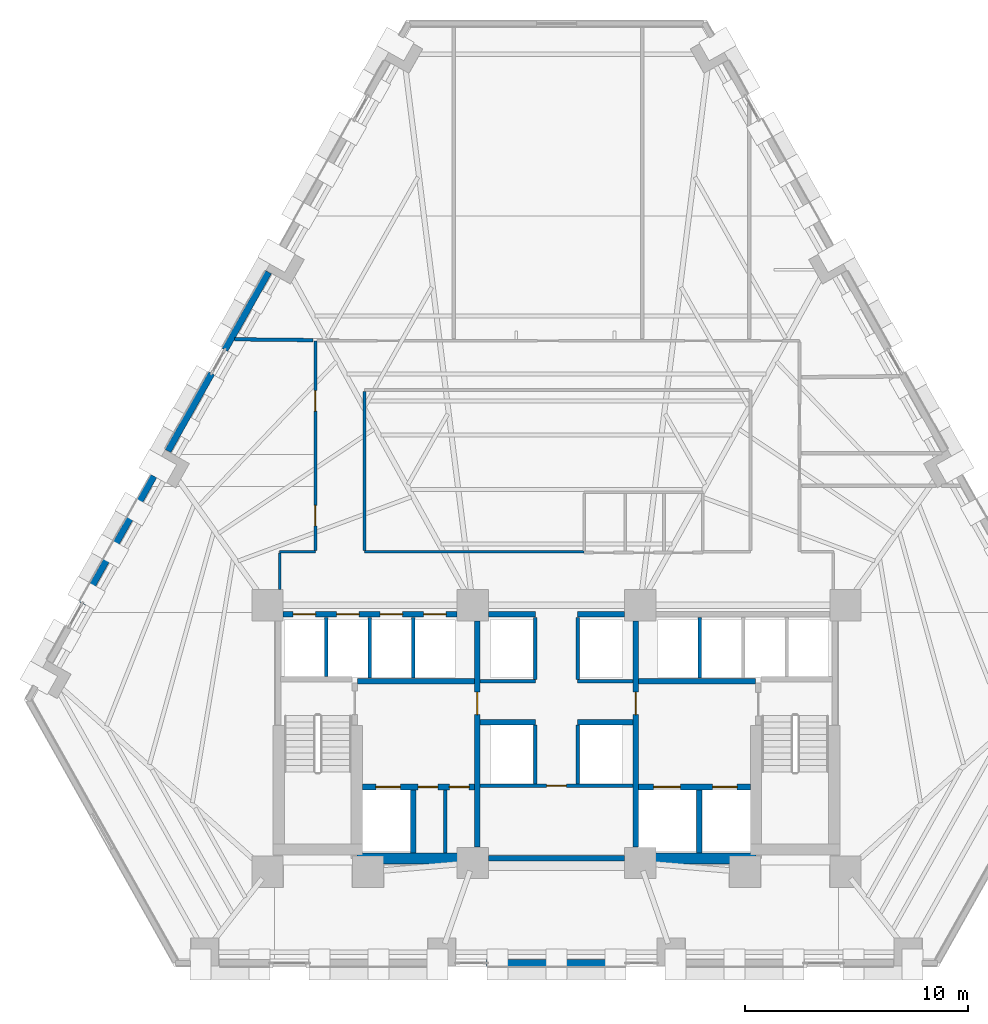
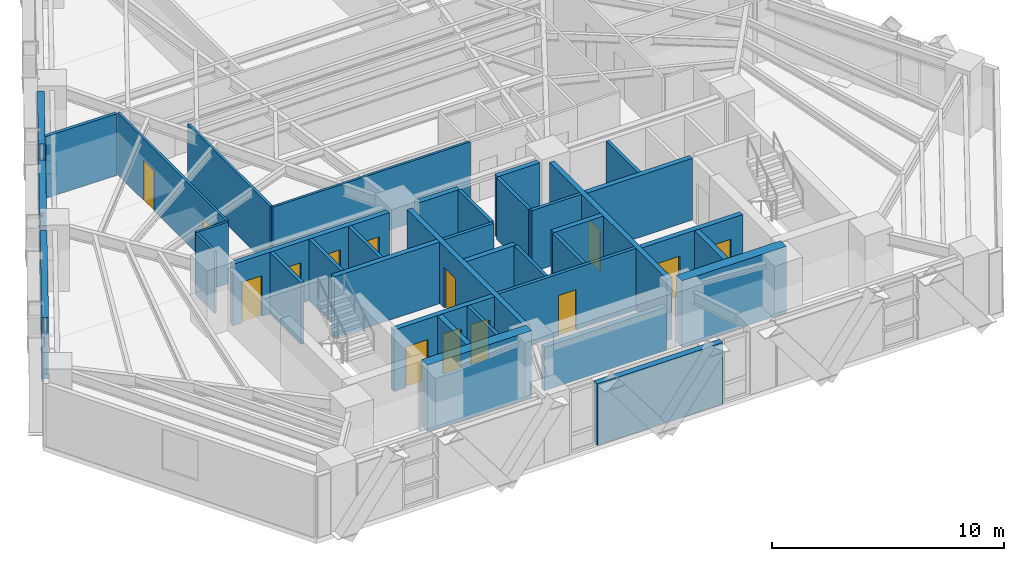
# One storey, part 7 of 13: 38 walls, 14 doors, 14 openings.
"""IFC4 building model written with IfcOpenShell, lengths in metres."""

from ifc_helpers import new_model, si_unit, direction, frame, frame_2d, origin, place, context, subcontext, project, spatial, rectangle, extrude, material, layer, layer_set, type_object, element, fill, save


model = new_model("IFC4")

# Units and contexts
model_context = context("Model", 3, precision=1e-05, world=origin(), true_north=direction((0.0, 1.0)))
body_context = subcontext(model_context, "Body", "Model", "MODEL_VIEW")
ifc_project = project(units=[si_unit("LENGTHUNIT", "METRE"), si_unit("AREAUNIT", "SQUARE_METRE"), si_unit("VOLUMEUNIT", "CUBIC_METRE"), si_unit("PLANEANGLEUNIT", "RADIAN"), si_unit("MASSUNIT", "GRAM", prefix="KILO")], contexts=[model_context])

# Site, building, storey
site_placement = place(None, origin())
site = spatial("IfcSite", under=ifc_project, at=site_placement, CompositionType="ELEMENT")
building_placement = place(site_placement, origin())
building = spatial("IfcBuilding", under=site, at=building_placement, Name="Quenlor Broadcast Tower", CompositionType="ELEMENT")
storey_placement = place(building_placement, frame((0.0, 0.0, 69.60009765625)))
storey = spatial("IfcBuildingStorey", under=building, at=storey_placement, Name="L18", CompositionType="ELEMENT", Elevation=69.60009765625)

# Walls
ifc_material_1 = material(Name="Concrete C65/80", Category="concrete")
ifc_layer_1 = layer(ifc_material_1, 0.5)
ifc_layer_set_1 = layer_set([ifc_layer_1], Name="Core Concrete C65/80 Shear Wall 500")
wall_type_1 = type_object("IfcWallType", Name="Core Concrete C65/80 Shear Wall 500", PredefinedType="SHEAR", material=ifc_layer_set_1)
for number, where, z_axis, x_axis, name in (
    (1, (-8.949951171875, -16.14990234375, 0.0), (0.0, 0.0, 1.0), (1.0, 0.0, 0.0), "L18 Core Shear Wall WS-W2"),
    (2, (3.75, -16.14990234375, 0.0), (0.0, 0.0, 1.0), (1.0, 0.0, 0.0), "L18 Core Shear Wall WS-E1"),
):
    element("IfcWall", number, at=place(storey_placement, frame(where, z_axis=z_axis, x_axis=x_axis)), inside=storey, type_object=wall_type_1, Name=name, PredefinedType="SHEAR", context=body_context, shape_type="SweptSolid", body=[
        extrude(rectangle(XDim=5.199951171875, YDim=0.5, at=frame_2d((2.60009765625, 0.0))), origin(), (0.0, 0.0, 1.0), 3.5),
    ])

# Wall, openings, doors
ifc_material_2 = material(Name="Concrete C40/50", Category="concrete")
ifc_layer_2 = layer(ifc_material_2, 0.25)
ifc_layer_set_2 = layer_set([ifc_layer_2], Name="Fire Rated Concrete C40/50 Core Wall 250")
wall_type_2 = type_object("IfcWallType", Name="Fire Rated Concrete C40/50 Core Wall 250", PredefinedType="PARTITIONING", material=ifc_layer_set_2)
wall_1_placement = place(storey_placement, frame((-8.697998046875, -12.949951171875, 0.0), z_axis=(0.0, 0.0, 1.0), x_axis=(1.0, 0.0, 0.0)))
wall_1 = element("IfcWall", 3, at=wall_1_placement, inside=storey, type_object=wall_type_2, Name="L18 Interior Wall CW-FFW-S", PredefinedType="PARTITIONING", context=body_context, shape_type="SweptSolid", body=[
    extrude(rectangle(XDim=5.01806640625, YDim=0.25, at=frame_2d((2.509033203125, 0.0))), origin(), (0.0, 0.0, 1.0), 3.25),
])
opening_1_placement = place(wall_1_placement, frame((0.597900390625, 0.0, 0.0)))
opening_1 = element("IfcOpeningElement", 4, at=opening_1_placement, cuts=wall_1, Name="Opening LD-FFL-1", PredefinedType="OPENING", context=body_context, shape_type="SweptSolid", body=[
    extrude(rectangle(XDim=1.10009765625, YDim=2.14990234375, at=frame_2d((0.550048828125, 1.074951171875))), frame((0.0, 0.135009765625, 0.0), z_axis=(0.0, -1.0, 0.0), x_axis=(1.0, 0.0, 0.0)), (0.0, 0.0, 1.0), 0.27001953125),
])
opening_2_placement = place(wall_1_placement, frame((2.498046875, 0.0, 0.0)))
opening_2 = element("IfcOpeningElement", 5, at=opening_2_placement, cuts=wall_1, Name="Opening TD-1", PredefinedType="OPENING", context=body_context, shape_type="SweptSolid", body=[
    extrude(rectangle(XDim=0.8798828125, YDim=2.10009765625, at=frame_2d((0.43994140625, 1.050048828125))), frame((0.0, 0.135009765625, 0.0), z_axis=(0.0, -1.0, 0.0), x_axis=(1.0, 0.0, 0.0)), (0.0, 0.0, 1.0), 0.27001953125),
])
opening_3_placement = place(wall_1_placement, frame((3.89794921875, 0.0, 0.0)))
opening_3 = element("IfcOpeningElement", 6, at=opening_3_placement, cuts=wall_1, Name="Opening TD-1", PredefinedType="OPENING", context=body_context, shape_type="SweptSolid", body=[
    extrude(rectangle(XDim=0.8798828125, YDim=2.10009765625, at=frame_2d((0.43994140625, 1.050048828125))), frame((0.0, 0.135009765625, 0.0), z_axis=(0.0, -1.0, 0.0), x_axis=(1.0, 0.0, 0.0)), (0.0, 0.0, 1.0), 0.27001953125),
])
ifc_material_3 = material(Name="Brushed Stainless Steel", Category="steel")
door_type_1 = type_object("IfcDoorType", Name="Emergency Lift Sliding Landing Door 1100x2150", OperationType="NOTDEFINED", PredefinedType="DOOR", material=ifc_material_3)
door_1_placement = place(opening_1_placement, origin())
door_1 = element("IfcDoor", 7, at=door_1_placement, inside=storey, type_object=door_type_1, Name="L18 Door LD-FFL-1", OperationType="SLIDING_TO_LEFT", OverallHeight=2.14990234375, OverallWidth=1.10009765625, PredefinedType="DOOR", context=body_context, shape_type="SweptSolid", body=[
    extrude(rectangle(XDim=1.10009765625, YDim=2.14990234375, at=frame_2d((0.550048828125, 1.074951171875))), frame((0.0, 0.02490234375, 0.0), z_axis=(0.0, -1.0, 0.0), x_axis=(1.0, 0.0, 0.0)), (0.0, 0.0, 1.0), 0.050048828125),
])
fill(opening_1, door_1)
ifc_material_4 = material(Name="Fire Rated Steel Access Panel", Category="steel")
door_type_2 = type_object("IfcDoorType", Name="Riser Shaft Rated Access Trapdoor 880x2100", OperationType="NOTDEFINED", PredefinedType="TRAPDOOR", material=ifc_material_4)
door_2_placement = place(opening_2_placement, origin())
door_2 = element("IfcDoor", 8, at=door_2_placement, inside=storey, type_object=door_type_2, Name="L18 Door DR-ELR", OperationType="SINGLE_SWING_LEFT", OverallHeight=2.10009765625, OverallWidth=0.8798828125, PredefinedType="TRAPDOOR", context=body_context, shape_type="SweptSolid", body=[
    extrude(rectangle(XDim=0.8798828125, YDim=2.10009765625, at=frame_2d((0.43994140625, 1.050048828125))), frame((0.0, 0.02490234375, 0.0), z_axis=(0.0, -1.0, 0.0), x_axis=(1.0, 0.0, 0.0)), (0.0, 0.0, 1.0), 0.050048828125),
])
fill(opening_2, door_2)
door_3_placement = place(opening_3_placement, origin())
door_3 = element("IfcDoor", 9, at=door_3_placement, inside=storey, type_object=door_type_2, Name="L18 Door DR-CMR", OperationType="SINGLE_SWING_RIGHT", OverallHeight=2.10009765625, OverallWidth=0.8798828125, PredefinedType="TRAPDOOR", context=body_context, shape_type="SweptSolid", body=[
    extrude(rectangle(XDim=0.8798828125, YDim=2.10009765625, at=frame_2d((0.43994140625, 1.050048828125))), frame((0.0, 0.02490234375, 0.0), z_axis=(0.0, -1.0, 0.0), x_axis=(1.0, 0.0, 0.0)), (0.0, 0.0, 1.0), 0.050048828125),
])
fill(opening_3, door_3)

wall_2_placement = place(storey_placement, frame((3.679931640625, -12.949951171875, 0.0), z_axis=(0.0, 0.0, 1.0), x_axis=(1.0, 0.0, 0.0)))
wall_2 = element("IfcWall", 10, at=wall_2_placement, inside=storey, type_object=wall_type_2, Name="L18 Interior Wall CW-FFE-S", PredefinedType="PARTITIONING", context=body_context, shape_type="SweptSolid", body=[
    extrude(rectangle(XDim=5.01806640625, YDim=0.25, at=frame_2d((2.509033203125, 0.0))), origin(), (0.0, 0.0, 1.0), 3.25),
])
opening_4_placement = place(wall_2_placement, frame((3.320068359375, 0.0, 0.0)))
opening_4 = element("IfcOpeningElement", 11, at=opening_4_placement, cuts=wall_2, Name="Opening LD-FFL-2", PredefinedType="OPENING", context=body_context, shape_type="SweptSolid", body=[
    extrude(rectangle(XDim=1.10009765625, YDim=2.14990234375, at=frame_2d((0.550048828125, 1.074951171875))), frame((0.0, 0.135009765625, 0.0), z_axis=(0.0, -1.0, 0.0), x_axis=(1.0, 0.0, 0.0)), (0.0, 0.0, 1.0), 0.27001953125),
])
opening_5_placement = place(wall_2_placement, frame((0.669921875, 0.0, 0.0)))
opening_5 = element("IfcOpeningElement", 12, at=opening_5_placement, cuts=wall_2, Name="Opening LD-SVL-1", PredefinedType="OPENING", context=body_context, shape_type="SweptSolid", body=[
    extrude(rectangle(XDim=1.199951171875, YDim=2.14990234375, at=frame_2d((0.60009765625, 1.074951171875))), frame((0.0, 0.135009765625, 0.0), z_axis=(0.0, -1.0, 0.0), x_axis=(1.0, 0.0, 0.0)), (0.0, 0.0, 1.0), 0.27001953125),
])
door_4_placement = place(opening_4_placement, origin())
door_4 = element("IfcDoor", 13, at=door_4_placement, inside=storey, type_object=door_type_1, Name="L18 Door LD-FFL-2", OperationType="SLIDING_TO_RIGHT", OverallHeight=2.14990234375, OverallWidth=1.10009765625, PredefinedType="DOOR", context=body_context, shape_type="SweptSolid", body=[
    extrude(rectangle(XDim=1.10009765625, YDim=2.14990234375, at=frame_2d((0.550048828125, 1.074951171875))), frame((0.0, 0.02490234375, 0.0), z_axis=(0.0, -1.0, 0.0), x_axis=(1.0, 0.0, 0.0)), (0.0, 0.0, 1.0), 0.050048828125),
])
fill(opening_4, door_4)
ifc_material_5 = material(Name="Brushed Stainless Steel", Category="steel")
door_type_3 = type_object("IfcDoorType", Name="Goods Lift Sliding Landing Door 1200x2150", OperationType="NOTDEFINED", PredefinedType="DOOR", material=ifc_material_5)
door_5_placement = place(opening_5_placement, origin())
door_5 = element("IfcDoor", 14, at=door_5_placement, inside=storey, type_object=door_type_3, Name="L18 Door LD-SVL-1", OperationType="SLIDING_TO_LEFT", OverallHeight=2.14990234375, OverallWidth=1.199951171875, PredefinedType="DOOR", context=body_context, shape_type="SweptSolid", body=[
    extrude(rectangle(XDim=1.199951171875, YDim=2.14990234375, at=frame_2d((0.60009765625, 1.074951171875))), frame((0.0, 0.02490234375, 0.0), z_axis=(0.0, -1.0, 0.0), x_axis=(1.0, 0.0, 0.0)), (0.0, 0.0, 1.0), 0.050048828125),
])
fill(opening_5, door_5)

# Walls
for number, where, z_axis, x_axis, name in (
    (15, (-6.419921875, -15.89794921875, 0.0), (0.0, 0.0, 1.0), (0.0, 1.0, 0.0), "L18 Interior Wall CW-FF1-E"),
    (16, (6.39990234375, -15.89794921875, 0.0), (0.0, 0.0, 1.0), (0.0, 1.0, 0.0), "L18 Interior Wall CW-SV1-E"),
):
    element("IfcWall", number, at=place(storey_placement, frame(where, z_axis=z_axis, x_axis=x_axis)), inside=storey, type_object=wall_type_2, Name=name, PredefinedType="PARTITIONING", context=body_context, shape_type="SweptSolid", body=[
        extrude(rectangle(XDim=2.807861328125, YDim=0.25, at=frame_2d((1.40380859375, 0.0))), origin(), (0.0, 0.0, 1.0), 3.25),
    ])
for number, where, z_axis, x_axis, name in (
    (17, (-8.919921875, -8.199951171875, 0.0), (0.0, 0.0, 1.0), (1.0, 0.0, 0.0), "L18 Interior Wall CW-FFW-N"),
    (18, (3.679931640625, -8.199951171875, 0.0), (0.0, 0.0, 1.0), (1.0, 0.0, 0.0), "L18 Interior Wall CW-FFE-N"),
):
    element("IfcWall", number, at=place(storey_placement, frame(where, z_axis=z_axis, x_axis=x_axis)), inside=storey, type_object=wall_type_2, Name=name, PredefinedType="PARTITIONING", context=body_context, shape_type="SweptSolid", body=[
        extrude(rectangle(XDim=5.239990234375, YDim=0.25, at=frame_2d((2.6201171875, 0.0))), origin(), (0.0, 0.0, 1.0), 3.25),
    ])

# Wall, opening, door
wall_3_placement = place(storey_placement, frame((-3.550048828125, -15.64794921875, 0.0), z_axis=(0.0, 0.0, 1.0), x_axis=(0.0, 1.0, 0.0)))
wall_3 = element("IfcWall", 19, at=wall_3_placement, inside=storey, type_object=wall_type_2, Name="L18 Interior Wall CW-FFW-E", PredefinedType="PARTITIONING", context=body_context, shape_type="SweptSolid", body=[
    extrude(rectangle(XDim=10.14599609375, YDim=0.25, at=frame_2d((5.072998046875, 0.0))), origin(), (0.0, 0.0, 1.0), 3.25),
])
opening_6_placement = place(wall_3_placement, frame((5.947998046875, 0.0, 0.0)))
opening_6 = element("IfcOpeningElement", 20, at=opening_6_placement, cuts=wall_3, Name="Opening FD-2", PredefinedType="OPENING", context=body_context, shape_type="SweptSolid", body=[
    extrude(rectangle(XDim=1.0, YDim=2.14990234375, at=frame_2d((0.5, 1.074951171875))), frame((0.0, 0.135009765625, 0.0), z_axis=(0.0, -1.0, 0.0), x_axis=(1.0, 0.0, 0.0)), (0.0, 0.0, 1.0), 0.27001953125),
])
ifc_material_6 = material(Name="Fire Rated Glazed Steel Door", Category="steel")
door_type_4 = type_object("IfcDoorType", Name="Firefighting Lobby Smoke Door 1000x2150", OperationType="NOTDEFINED", PredefinedType="DOOR", material=ifc_material_6)
door_6_placement = place(opening_6_placement, origin())
door_6 = element("IfcDoor", 21, at=door_6_placement, inside=storey, type_object=door_type_4, Name="L18 Door DR-FFLW", OperationType="SINGLE_SWING_RIGHT", OverallHeight=2.14990234375, OverallWidth=1.0, PredefinedType="DOOR", context=body_context, shape_type="SweptSolid", body=[
    extrude(rectangle(XDim=1.0, YDim=2.14990234375, at=frame_2d((0.5, 1.074951171875))), frame((0.0, 0.02490234375, 0.0), z_axis=(0.0, -1.0, 0.0), x_axis=(1.0, 0.0, 0.0)), (0.0, 0.0, 1.0), 0.050048828125),
])
fill(opening_6, door_6)

wall_4_placement = place(storey_placement, frame((3.550048828125, -15.64794921875, 0.0), z_axis=(0.0, 0.0, 1.0), x_axis=(0.0, 1.0, 0.0)))
wall_4 = element("IfcWall", 22, at=wall_4_placement, inside=storey, type_object=wall_type_2, Name="L18 Interior Wall CW-FFE-W", PredefinedType="PARTITIONING", context=body_context, shape_type="SweptSolid", body=[
    extrude(rectangle(XDim=10.14599609375, YDim=0.25, at=frame_2d((5.072998046875, 0.0))), origin(), (0.0, 0.0, 1.0), 3.25),
])
opening_7_placement = place(wall_4_placement, frame((5.947998046875, 0.0, 0.0)))
opening_7 = element("IfcOpeningElement", 23, at=opening_7_placement, cuts=wall_4, Name="Opening FD-2", PredefinedType="OPENING", context=body_context, shape_type="SweptSolid", body=[
    extrude(rectangle(XDim=1.0, YDim=2.14990234375, at=frame_2d((0.5, 1.074951171875))), frame((0.0, 0.135009765625, 0.0), z_axis=(0.0, -1.0, 0.0), x_axis=(1.0, 0.0, 0.0)), (0.0, 0.0, 1.0), 0.27001953125),
])
door_7_placement = place(opening_7_placement, origin())
door_7 = element("IfcDoor", 24, at=door_7_placement, inside=storey, type_object=door_type_4, Name="L18 Door DR-FFLE", OperationType="SINGLE_SWING_LEFT", OverallHeight=2.14990234375, OverallWidth=1.0, PredefinedType="DOOR", context=body_context, shape_type="SweptSolid", body=[
    extrude(rectangle(XDim=1.0, YDim=2.14990234375, at=frame_2d((0.5, 1.074951171875))), frame((0.0, 0.02490234375, 0.0), z_axis=(0.0, -1.0, 0.0), x_axis=(1.0, 0.0, 0.0)), (0.0, 0.0, 1.0), 0.050048828125),
])
fill(opening_7, door_7)

# Wall, openings, doors
wall_5_placement = place(storey_placement, frame((-12.248046875, -5.199951171875, 0.0), z_axis=(0.0, 0.0, 1.0), x_axis=(1.0, 0.0, 0.0)))
wall_5 = element("IfcWall", 25, at=wall_5_placement, inside=storey, type_object=wall_type_2, Name="L18 Interior Wall CW-N-W", PredefinedType="PARTITIONING", context=body_context, shape_type="SweptSolid", body=[
    extrude(rectangle(XDim=7.796142578125, YDim=0.25, at=frame_2d((3.89794921875, 0.0))), origin(), (0.0, 0.0, 1.0), 3.25),
])
opening_8_placement = place(wall_5_placement, frame((0.447998046875, 0.0, 0.0)))
opening_8 = element("IfcOpeningElement", 26, at=opening_8_placement, cuts=wall_5, Name="Opening LD-PL-L1", PredefinedType="OPENING", context=body_context, shape_type="SweptSolid", body=[
    extrude(rectangle(XDim=1.0, YDim=2.14990234375, at=frame_2d((0.5, 1.074951171875))), frame((0.0, 0.135009765625, 0.0), z_axis=(0.0, -1.0, 0.0), x_axis=(1.0, 0.0, 0.0)), (0.0, 0.0, 1.0), 0.27001953125),
])
opening_9_placement = place(wall_5_placement, frame((2.39794921875, 0.0, 0.0)))
opening_9 = element("IfcOpeningElement", 27, at=opening_9_placement, cuts=wall_5, Name="Opening LD-PL-L2", PredefinedType="OPENING", context=body_context, shape_type="SweptSolid", body=[
    extrude(rectangle(XDim=1.0, YDim=2.14990234375, at=frame_2d((0.5, 1.074951171875))), frame((0.0, 0.135009765625, 0.0), z_axis=(0.0, -1.0, 0.0), x_axis=(1.0, 0.0, 0.0)), (0.0, 0.0, 1.0), 0.27001953125),
])
opening_10_placement = place(wall_5_placement, frame((4.347900390625, 0.0, 0.0)))
opening_10 = element("IfcOpeningElement", 28, at=opening_10_placement, cuts=wall_5, Name="Opening LD-PL-L3", PredefinedType="OPENING", context=body_context, shape_type="SweptSolid", body=[
    extrude(rectangle(XDim=1.0, YDim=2.14990234375, at=frame_2d((0.5, 1.074951171875))), frame((0.0, 0.135009765625, 0.0), z_axis=(0.0, -1.0, 0.0), x_axis=(1.0, 0.0, 0.0)), (0.0, 0.0, 1.0), 0.27001953125),
])
opening_11_placement = place(wall_5_placement, frame((6.298095703125, 0.0, 0.0)))
opening_11 = element("IfcOpeningElement", 29, at=opening_11_placement, cuts=wall_5, Name="Opening LD-PL-L4", PredefinedType="OPENING", context=body_context, shape_type="SweptSolid", body=[
    extrude(rectangle(XDim=1.0, YDim=2.14990234375, at=frame_2d((0.5, 1.074951171875))), frame((0.0, 0.135009765625, 0.0), z_axis=(0.0, -1.0, 0.0), x_axis=(1.0, 0.0, 0.0)), (0.0, 0.0, 1.0), 0.27001953125),
])
ifc_material_7 = material(Name="Brushed Stainless Steel", Category="steel")
door_type_5 = type_object("IfcDoorType", Name="Passenger Lift Sliding Landing Door 1000x2150", OperationType="NOTDEFINED", PredefinedType="DOOR", material=ifc_material_7)
door_8_placement = place(opening_8_placement, origin())
door_8 = element("IfcDoor", 30, at=door_8_placement, inside=storey, type_object=door_type_5, Name="L18 Door LD-PL-L1", OperationType="SLIDING_TO_LEFT", OverallHeight=2.14990234375, OverallWidth=1.0, PredefinedType="DOOR", context=body_context, shape_type="SweptSolid", body=[
    extrude(rectangle(XDim=1.0, YDim=2.14990234375, at=frame_2d((0.5, 1.074951171875))), frame((0.0, 0.02490234375, 0.0), z_axis=(0.0, -1.0, 0.0), x_axis=(1.0, 0.0, 0.0)), (0.0, 0.0, 1.0), 0.050048828125),
])
fill(opening_8, door_8)
door_9_placement = place(opening_9_placement, origin())
door_9 = element("IfcDoor", 31, at=door_9_placement, inside=storey, type_object=door_type_5, Name="L18 Door LD-PL-L2", OperationType="SLIDING_TO_LEFT", OverallHeight=2.14990234375, OverallWidth=1.0, PredefinedType="DOOR", context=body_context, shape_type="SweptSolid", body=[
    extrude(rectangle(XDim=1.0, YDim=2.14990234375, at=frame_2d((0.5, 1.074951171875))), frame((0.0, 0.02490234375, 0.0), z_axis=(0.0, -1.0, 0.0), x_axis=(1.0, 0.0, 0.0)), (0.0, 0.0, 1.0), 0.050048828125),
])
fill(opening_9, door_9)
door_10_placement = place(opening_10_placement, origin())
door_10 = element("IfcDoor", 32, at=door_10_placement, inside=storey, type_object=door_type_5, Name="L18 Door LD-PL-L3", OperationType="SLIDING_TO_LEFT", OverallHeight=2.14990234375, OverallWidth=1.0, PredefinedType="DOOR", context=body_context, shape_type="SweptSolid", body=[
    extrude(rectangle(XDim=1.0, YDim=2.14990234375, at=frame_2d((0.5, 1.074951171875))), frame((0.0, 0.02490234375, 0.0), z_axis=(0.0, -1.0, 0.0), x_axis=(1.0, 0.0, 0.0)), (0.0, 0.0, 1.0), 0.050048828125),
])
fill(opening_10, door_10)
door_11_placement = place(opening_11_placement, origin())
door_11 = element("IfcDoor", 33, at=door_11_placement, inside=storey, type_object=door_type_5, Name="L18 Door LD-PL-L4", OperationType="SLIDING_TO_LEFT", OverallHeight=2.14990234375, OverallWidth=1.0, PredefinedType="DOOR", context=body_context, shape_type="SweptSolid", body=[
    extrude(rectangle(XDim=1.0, YDim=2.14990234375, at=frame_2d((0.5, 1.074951171875))), frame((0.0, 0.02490234375, 0.0), z_axis=(0.0, -1.0, 0.0), x_axis=(1.0, 0.0, 0.0)), (0.0, 0.0, 1.0), 0.050048828125),
])
fill(opening_11, door_11)

# Walls
for number, where, z_axis, x_axis, name in (
    (34, (-3.048095703125, -5.199951171875, 0.0), (0.0, 0.0, 1.0), (1.0, 0.0, 0.0), "L18 Interior Wall CW-N-M1"),
    (35, (0.949951171875, -5.199951171875, 0.0), (0.0, 0.0, 1.0), (1.0, 0.0, 0.0), "L18 Interior Wall CW-N-M2"),
):
    element("IfcWall", number, at=place(storey_placement, frame(where, z_axis=z_axis, x_axis=x_axis)), inside=storey, type_object=wall_type_2, Name=name, PredefinedType="PARTITIONING", context=body_context, shape_type="SweptSolid", body=[
        extrude(rectangle(XDim=2.09814453125, YDim=0.25, at=frame_2d((1.049072265625, 0.0))), origin(), (0.0, 0.0, 1.0), 3.25),
    ])
wall_6_placement = place(storey_placement, frame((-3.048095703125, -16.14990234375, 0.0), z_axis=(0.0, 0.0, 1.0), x_axis=(1.0, 0.0, 0.0)))
element("IfcWall", 36, at=wall_6_placement, inside=storey, type_object=wall_type_2, Name="L18 Interior Wall CW-MS-S", PredefinedType="PARTITIONING", context=body_context, shape_type="SweptSolid", body=[
    extrude(rectangle(XDim=6.09619140625, YDim=0.25, at=frame_2d((3.048095703125, 0.0))), origin(), (0.0, 0.0, 1.0), 2.2998046875),
])
for number, where, z_axis, x_axis, name in (
    (37, (-3.419921875, -10.050048828125, 0.0), (0.0, 0.0, 1.0), (1.0, 0.0, 0.0), "L18 Interior Wall CW-MS-N1"),
    (38, (0.949951171875, -10.050048828125, 0.0), (0.0, 0.0, 1.0), (1.0, 0.0, 0.0), "L18 Interior Wall CW-MS-N2"),
):
    element("IfcWall", number, at=place(storey_placement, frame(where, z_axis=z_axis, x_axis=x_axis)), inside=storey, type_object=wall_type_2, Name=name, PredefinedType="PARTITIONING", context=body_context, shape_type="SweptSolid", body=[
        extrude(rectangle(XDim=2.469970703125, YDim=0.25, at=frame_2d((1.23486328125, 0.0))), origin(), (0.0, 0.0, 1.0), 3.25),
    ])
ifc_material_8 = material(Name="Gypsum Fireboard Partition", Category="other")
ifc_layer_3 = layer(ifc_material_8, 0.159912109375)
ifc_layer_set_3 = layer_set([ifc_layer_3], Name="Fire Rated Shaft and Corridor Partition 160")
wall_type_3 = type_object("IfcWallType", Name="Fire Rated Shaft and Corridor Partition 160", PredefinedType="PARTITIONING", material=ifc_layer_set_3)
wall_7_placement = place(storey_placement, frame((-4.97998046875, -15.89794921875, 0.0), z_axis=(0.0, 0.0, 1.0), x_axis=(0.0, 1.0, 0.0)))
element("IfcWall", 39, at=wall_7_placement, inside=storey, type_object=wall_type_3, Name="L18 Interior Wall CW-ELR-E", PredefinedType="PARTITIONING", context=body_context, shape_type="SweptSolid", body=[
    extrude(rectangle(XDim=2.807861328125, YDim=0.159912109375, at=frame_2d((1.40380859375, 0.0))), origin(), (0.0, 0.0, 1.0), 3.25),
])
wall_8_placement = place(storey_placement, frame((-10.324951171875, -7.992919921875, 0.0), z_axis=(0.0, 0.0, 1.0), x_axis=(0.0, 1.0, 0.0)))
element("IfcWall", 40, at=wall_8_placement, inside=storey, type_object=wall_type_3, Name="L18 Interior Wall CW-PLL-D1", PredefinedType="PARTITIONING", context=body_context, shape_type="SweptSolid", body=[
    extrude(rectangle(XDim=2.65283203125, YDim=0.159912109375, at=frame_2d((1.326416015625, 0.0))), origin(), (0.0, 0.0, 1.0), 3.25),
])
for number, where, z_axis, x_axis, name in (
    (41, (-8.375, -8.072998046875, 0.0), (0.0, 0.0, 1.0), (0.0, 1.0, 0.0), "L18 Interior Wall CW-PLL-D2"),
    (42, (-6.425048828125, -8.072998046875, 0.0), (0.0, 0.0, 1.0), (0.0, 1.0, 0.0), "L18 Interior Wall CW-PLL-D3"),
    (43, (6.425048828125, -8.072998046875, 0.0), (0.0, 0.0, 1.0), (0.0, 1.0, 0.0), "L18 Interior Wall CW-PLH-D1"),
):
    element("IfcWall", number, at=place(storey_placement, frame(where, z_axis=z_axis, x_axis=x_axis)), inside=storey, type_object=wall_type_3, Name=name, PredefinedType="PARTITIONING", context=body_context, shape_type="SweptSolid", body=[
        extrude(rectangle(XDim=2.73291015625, YDim=0.159912109375, at=frame_2d((1.366455078125, 0.0))), origin(), (0.0, 0.0, 1.0), 3.25),
    ])
for number, where, z_axis, x_axis, name in (
    (44, (-0.949951171875, -8.1201171875, 0.0), (0.0, 0.0, 1.0), (0.0, 1.0, 0.0), "L18 Interior Wall CW-CCRP-W"),
    (45, (0.949951171875, -8.1201171875, 0.0), (0.0, 0.0, 1.0), (0.0, 1.0, 0.0), "L18 Interior Wall CW-CCRP-E"),
):
    element("IfcWall", number, at=place(storey_placement, frame(where, z_axis=z_axis, x_axis=x_axis)), inside=storey, type_object=wall_type_3, Name=name, PredefinedType="PARTITIONING", context=body_context, shape_type="SweptSolid", body=[
        extrude(rectangle(XDim=2.780029296875, YDim=0.159912109375, at=frame_2d((1.39013671875, 0.0))), origin(), (0.0, 0.0, 1.0), 3.25),
    ])
for number, where, z_axis, x_axis, name in (
    (46, (-3.419921875, -8.199951171875, 0.0), (0.0, 0.0, 1.0), (1.0, 0.0, 0.0), "L18 Interior Wall CW-M-BACK1"),
    (47, (0.949951171875, -8.199951171875, 0.0), (0.0, 0.0, 1.0), (1.0, 0.0, 0.0), "L18 Interior Wall CW-M-BACK2"),
):
    element("IfcWall", number, at=place(storey_placement, frame(where, z_axis=z_axis, x_axis=x_axis)), inside=storey, type_object=wall_type_3, Name=name, PredefinedType="PARTITIONING", context=body_context, shape_type="SweptSolid", body=[
        extrude(rectangle(XDim=2.469970703125, YDim=0.159912109375, at=frame_2d((1.23486328125, 0.0))), origin(), (0.0, 0.0, 1.0), 3.25),
    ])

# Wall, opening, door
wall_9_placement = place(storey_placement, frame((-3.419921875, -12.89990234375, 0.0), z_axis=(0.0, 0.0, 1.0), x_axis=(1.0, 0.0, 0.0)))
wall_9 = element("IfcWall", 48, at=wall_9_placement, inside=storey, type_object=wall_type_3, Name="L18 Interior Wall CW-MS-B", PredefinedType="PARTITIONING", context=body_context, shape_type="SweptSolid", body=[
    extrude(rectangle(XDim=6.83984375, YDim=0.159912109375, at=frame_2d((3.419921875, 0.0))), origin(), (0.0, 0.0, 1.0), 3.25),
])
opening_12_placement = place(wall_9_placement, frame((2.97998046875, 0.0, 0.0)))
opening_12 = element("IfcOpeningElement", 49, at=opening_12_placement, cuts=wall_9, Name="Opening ID-4", PredefinedType="OPENING", context=body_context, shape_type="SweptSolid", body=[
    extrude(rectangle(XDim=0.8798828125, YDim=2.1201171875, at=frame_2d((0.43994140625, 1.06005859375))), frame((0.0, 0.08984375, 0.0), z_axis=(0.0, -1.0, 0.0), x_axis=(1.0, 0.0, 0.0)), (0.0, 0.0, 1.0), 0.179931640625),
])
ifc_material_9 = material(Name="Solid Core Timber Oak", Category="wood")
door_type_6 = type_object("IfcDoorType", Name="Service Closet Timber Door 880x2120", OperationType="NOTDEFINED", PredefinedType="DOOR", material=ifc_material_9)
door_12_placement = place(opening_12_placement, origin())
door_12 = element("IfcDoor", 50, at=door_12_placement, inside=storey, type_object=door_type_6, Name="L18 Door DR-CSV0", OperationType="SINGLE_SWING_LEFT", OverallHeight=2.1201171875, OverallWidth=0.8798828125, PredefinedType="DOOR", context=body_context, shape_type="SweptSolid", body=[
    extrude(rectangle(XDim=0.8798828125, YDim=2.1201171875, at=frame_2d((0.43994140625, 1.06005859375))), frame((0.0, 0.02490234375, 0.0), z_axis=(0.0, -1.0, 0.0), x_axis=(1.0, 0.0, 0.0)), (0.0, 0.0, 1.0), 0.050048828125),
])
fill(opening_12, door_12)

# Walls
for number, where, z_axis, x_axis, name in (
    (51, (-0.949951171875, -12.818115234375, 0.0), (0.0, 0.0, 1.0), (0.0, 1.0, 0.0), "L18 Interior Wall CW-MS-W"),
    (52, (0.949951171875, -12.818115234375, 0.0), (0.0, 0.0, 1.0), (0.0, 1.0, 0.0), "L18 Interior Wall CW-MS-E"),
):
    element("IfcWall", number, at=place(storey_placement, frame(where, z_axis=z_axis, x_axis=x_axis)), inside=storey, type_object=wall_type_3, Name=name, PredefinedType="PARTITIONING", context=body_context, shape_type="SweptSolid", body=[
        extrude(rectangle(XDim=2.63818359375, YDim=0.159912109375, at=frame_2d((1.319091796875, 0.0))), origin(), (0.0, 0.0, 1.0), 3.25),
    ])
wall_10_placement = place(storey_placement, frame((-10.9150390625, 7.081787109375, 0.0), z_axis=(0.0, 0.0, 1.0), x_axis=(-0.99994262827, 0.010711683692, 0.0)))
element("IfcWall", 53, at=wall_10_placement, inside=storey, type_object=wall_type_3, Name="L18 Interior Wall PW-DV-04", PredefinedType="PARTITIONING", context=body_context, shape_type="SweptSolid", body=[
    extrude(rectangle(XDim=3.510009765625, YDim=0.159912109375, at=frame_2d((1.7548828125, 0.0))), origin(), (0.0, 0.0, 1.0), 3.25),
])
ifc_material_10 = material(Name="Gypsum Plasterboard Partition", Category="other")
ifc_layer_4 = layer(ifc_material_10, 0.1201171875)
ifc_layer_set_4 = layer_set([ifc_layer_4], Name="Standard Office Partition 120")
wall_type_4 = type_object("IfcWallType", Name="Standard Office Partition 120", PredefinedType="PARTITIONING", material=ifc_layer_set_4)
wall_11_placement = place(storey_placement, frame((-12.409912109375, -2.39990234375, 0.0), z_axis=(0.0, 0.0, 1.0), x_axis=(1.0, 0.0, 0.0)))
element("IfcWall", 54, at=wall_11_placement, inside=storey, type_object=wall_type_4, Name="L18 Interior Wall PW-CR-01", PredefinedType="PARTITIONING", context=body_context, shape_type="SweptSolid", body=[
    extrude(rectangle(XDim=1.60498046875, YDim=0.1201171875, at=frame_2d((0.802490234375, 0.0))), origin(), (0.0, 0.0, 1.0), 3.25),
])

# Wall, openings, doors
wall_12_placement = place(storey_placement, frame((-10.804931640625, -2.337890625, 0.0), z_axis=(0.0, 0.0, 1.0), x_axis=(0.0, 1.0, 0.0)))
wall_12 = element("IfcWall", 55, at=wall_12_placement, inside=storey, type_object=wall_type_4, Name="L18 Interior Wall PW-CR-02", PredefinedType="PARTITIONING", context=body_context, shape_type="SweptSolid", body=[
    extrude(rectangle(XDim=9.387939453125, YDim=0.1201171875, at=frame_2d((4.69384765625, 0.0))), origin(), (0.0, 0.0, 1.0), 3.25),
])
opening_13_placement = place(wall_12_placement, frame((6.23388671875, 0.0, 0.0)))
opening_13 = element("IfcOpeningElement", 56, at=opening_13_placement, cuts=wall_12, Name="Opening ID-1", PredefinedType="OPENING", context=body_context, shape_type="SweptSolid", body=[
    extrude(rectangle(XDim=0.919921875, YDim=2.1201171875, at=frame_2d((0.4599609375, 1.06005859375))), frame((0.0, 0.070068359375, 0.0), z_axis=(0.0, -1.0, 0.0), x_axis=(1.0, 0.0, 0.0)), (0.0, 0.0, 1.0), 0.14013671875),
])
opening_14_placement = place(wall_12_placement, frame((1.089111328125, 0.0, 0.0)))
opening_14 = element("IfcOpeningElement", 57, at=opening_14_placement, cuts=wall_12, Name="Opening ID-1", PredefinedType="OPENING", context=body_context, shape_type="SweptSolid", body=[
    extrude(rectangle(XDim=0.919921875, YDim=2.1201171875, at=frame_2d((0.4599609375, 1.06005859375))), frame((0.0, 0.070068359375, 0.0), z_axis=(0.0, -1.0, 0.0), x_axis=(1.0, 0.0, 0.0)), (0.0, 0.0, 1.0), 0.14013671875),
])
ifc_material_11 = material(Name="Solid Core Timber Oak", Category="wood")
door_type_7 = type_object("IfcDoorType", Name="Single Leaf Timber Office Door 920x2120", OperationType="NOTDEFINED", PredefinedType="DOOR", material=ifc_material_11)
door_13_placement = place(opening_13_placement, origin())
door_13 = element("IfcDoor", 58, at=door_13_placement, inside=storey, type_object=door_type_7, Name="L18 Door DR-RM05", OperationType="SINGLE_SWING_LEFT", OverallHeight=2.1201171875, OverallWidth=0.919921875, PredefinedType="DOOR", context=body_context, shape_type="SweptSolid", body=[
    extrude(rectangle(XDim=0.919921875, YDim=2.1201171875, at=frame_2d((0.4599609375, 1.06005859375))), frame((0.0, 0.02490234375, 0.0), z_axis=(0.0, -1.0, 0.0), x_axis=(1.0, 0.0, 0.0)), (0.0, 0.0, 1.0), 0.050048828125),
])
fill(opening_13, door_13)
door_14_placement = place(opening_14_placement, origin())
door_14 = element("IfcDoor", 59, at=door_14_placement, inside=storey, type_object=door_type_7, Name="L18 Door DR-RM08", OperationType="SINGLE_SWING_RIGHT", OverallHeight=2.1201171875, OverallWidth=0.919921875, PredefinedType="DOOR", context=body_context, shape_type="SweptSolid", body=[
    extrude(rectangle(XDim=0.919921875, YDim=2.1201171875, at=frame_2d((0.4599609375, 1.06005859375))), frame((0.0, 0.02490234375, 0.0), z_axis=(0.0, -1.0, 0.0), x_axis=(1.0, 0.0, 0.0)), (0.0, 0.0, 1.0), 0.050048828125),
])
fill(opening_14, door_14)

# Walls
wall_13_placement = place(storey_placement, frame((-12.409912109375, -4.097900390625, 0.0), z_axis=(0.0, 0.0, 1.0), x_axis=(0.0, 1.0, 0.0)))
element("IfcWall", 60, at=wall_13_placement, inside=storey, type_object=wall_type_4, Name="L18 Interior Wall PW-CR-07", PredefinedType="PARTITIONING", context=body_context, shape_type="SweptSolid", body=[
    extrude(rectangle(XDim=1.635986328125, YDim=0.1201171875, at=frame_2d((0.81787109375, 0.0))), origin(), (0.0, 0.0, 1.0), 3.25),
])
wall_14_placement = place(storey_placement, frame((-8.60498046875, -2.39990234375, 0.0), z_axis=(0.0, 0.0, 1.0), x_axis=(1.0, 0.0, 0.0)))
element("IfcWall", 61, at=wall_14_placement, inside=storey, type_object=wall_type_4, Name="L18 Interior Wall PW-CR-08", PredefinedType="PARTITIONING", context=body_context, shape_type="SweptSolid", body=[
    extrude(rectangle(XDim=9.843017578125, YDim=0.1201171875, at=frame_2d((4.92138671875, 0.0))), origin(), (0.0, 0.0, 1.0), 3.25),
])
wall_15_placement = place(storey_placement, frame((-8.60498046875, 4.7880859375, 0.0), z_axis=(0.0, 0.0, 1.0), x_axis=(0.0, -1.0, 0.0)))
element("IfcWall", 62, at=wall_15_placement, inside=storey, type_object=wall_type_4, Name="L18 Interior Wall PW-CR-11", PredefinedType="PARTITIONING", context=body_context, shape_type="SweptSolid", body=[
    extrude(rectangle(XDim=7.1259765625, YDim=0.1201171875, at=frame_2d((3.56298828125, 0.0))), origin(), (0.0, 0.0, 1.0), 3.25),
])
ifc_material_12 = material(Name="Precast concrete C40/50", Category="concrete")
ifc_layer_5 = layer(ifc_material_12, 0.300048828125)
ifc_layer_set_5 = layer_set([ifc_layer_5], Name="Terracotta Precast Concrete C40/50 Spandrel Wall 300")
wall_type_5 = type_object("IfcWallType", Name="Terracotta Precast Concrete C40/50 Spandrel Wall 300", PredefinedType="STANDARD", material=ifc_layer_set_5)
wall_16_placement = place(storey_placement, frame((3.126220703125, -20.840087890625, 0.0), z_axis=(0.0, 0.0, 1.0), x_axis=(-1.0, 0.0, 0.0)))
element("IfcWall", 63, at=wall_16_placement, inside=storey, type_object=wall_type_5, Name="L18 Exterior Wall L18-S-SP1", PredefinedType="STANDARD", context=body_context, shape_type="SweptSolid", body=[
    extrude(rectangle(XDim=6.25244140625, YDim=0.300048828125, at=frame_2d((3.126220703125, 0.0))), origin(), (0.0, 0.0, 1.0), 3.25),
])
wall_17_placement = place(storey_placement, frame((-21.257568359375, -4.7177734375, 0.0), z_axis=(0.0, 0.0, 1.0), x_axis=(0.490245297262, 0.871584504516, 0.0)))
element("IfcWall", 64, at=wall_17_placement, inside=storey, type_object=wall_type_5, Name="L18 Exterior Wall L18-NWA-SP2", PredefinedType="STANDARD", context=body_context, shape_type="SweptSolid", body=[
    extrude(rectangle(XDim=6.543701171875, YDim=0.300048828125, at=frame_2d((3.27197265625, 0.0))), origin(), (0.0, 0.0, 1.0), 3.25),
])
for number, where, z_axis, x_axis, name in (
    (65, (-17.414794921875, 2.1142578125, 0.0), (0.0, 0.0, 1.0), (0.49028736482, 0.871560841191, 0.0), "L18 Exterior Wall L18-NW-SP1"),
    (66, (-14.864013671875, 6.648681640625, 0.0), (0.0, 0.0, 1.0), (0.49028736482, 0.871560841191, 0.0), "L18 Exterior Wall L18-NW-SP2"),
):
    element("IfcWall", number, at=place(storey_placement, frame(where, z_axis=z_axis, x_axis=x_axis)), inside=storey, type_object=wall_type_5, Name=name, PredefinedType="STANDARD", context=body_context, shape_type="SweptSolid", body=[
        extrude(rectangle(XDim=3.9931640625, YDim=0.300048828125, at=frame_2d((1.99658203125, 0.0))), origin(), (0.0, 0.0, 1.0), 3.25),
    ])

save(model, "model.ifc")
